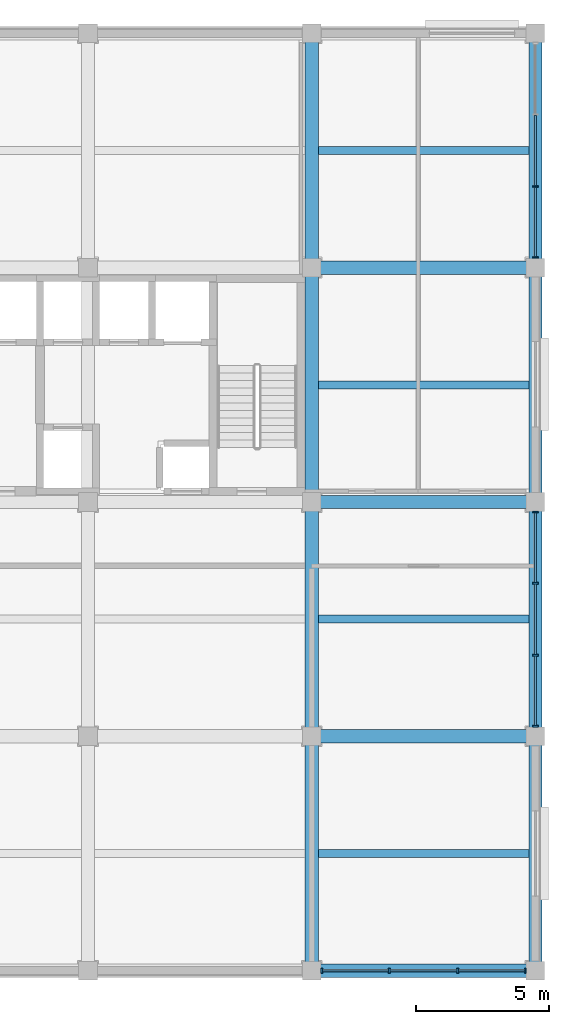
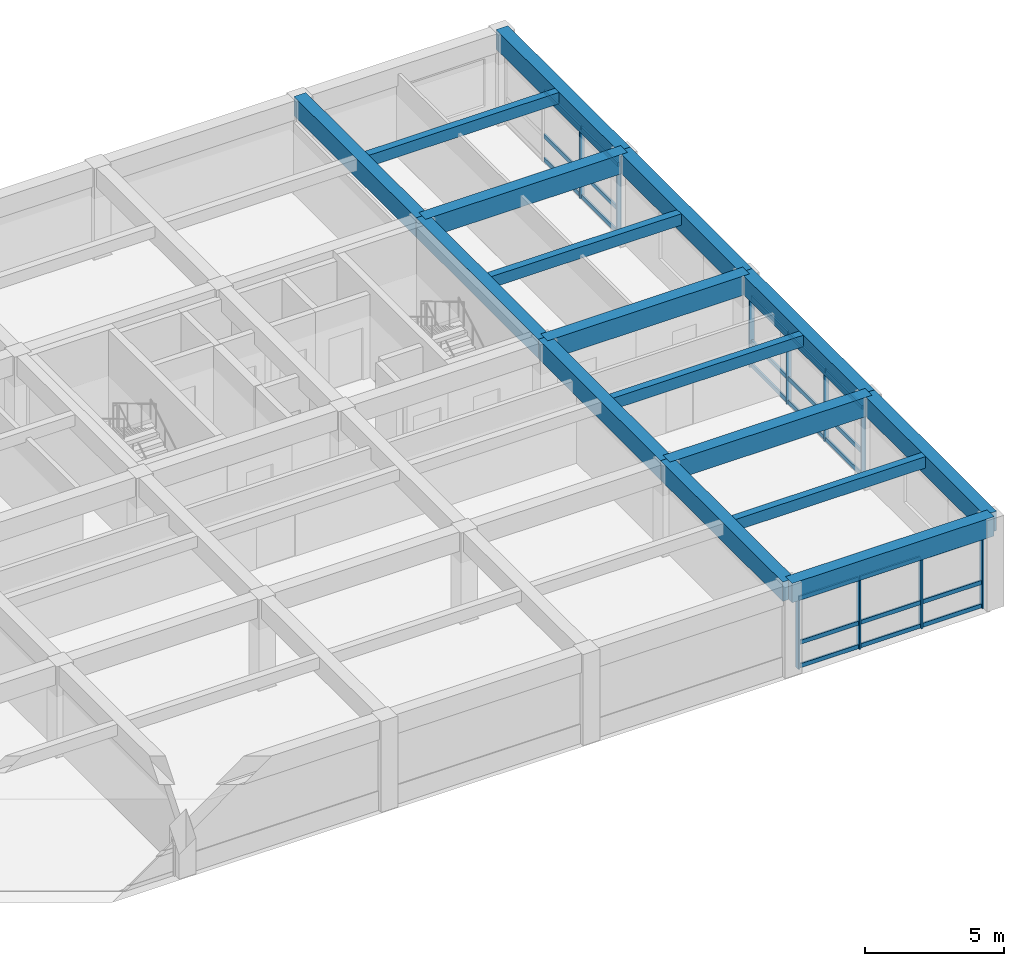
# One storey, part 4 of 14: 34 members, 16 beams, 3 elements without a shape of their own.
"""IFC4 building model written with IfcOpenShell, lengths in metres."""

import ifcopenshell
import ifcopenshell.guid

model = None  # the IFC model being written
_history = None  # IfcOwnerHistory: only IFC2X3 demands one
_inside = {}  # id of a spatial element -> (the spatial element, [elements in it])
_under = {}  # id of a project, library or spatial element -> (it, [spatial elements below it])
_declared = {}  # id of a project -> (the project, [libraries it declares])
_typed = {}  # id of a type object -> (the type object, [elements of that type])
_made_of = {}  # id of a material, layer set ... -> (it, [elements and type objects made of it])


def new_model(schema):
    """Start an empty IFC model of exactly this schema.

    Asked for "IFC4X3", IfcOpenShell would pick the latest addendum, in which some entities
    have other attributes; the version numbers below select the first issue.
    IFC2X3 requires an IfcOwnerHistory on every rooted entity: one is made here for all.
    """
    global model, _history
    if schema == "IFC4X3":
        model = ifcopenshell.file(schema_version=(4, 3, 0, 0))
    else:
        model = ifcopenshell.file(schema=schema)
    _inside.clear()
    _under.clear()
    _declared.clear()
    _typed.clear()
    _made_of.clear()
    _history = None
    if model.schema == "IFC2X3":
        org = make("IfcOrganization", Name="unknown")
        user = make(
            "IfcPersonAndOrganization",
            ThePerson=make("IfcPerson", FamilyName="unknown"),
            TheOrganization=org,
        )
        app = make(
            "IfcApplication",
            ApplicationDeveloper=org,
            Version="unknown",
            ApplicationFullName="unknown",
            ApplicationIdentifier="unknown",
        )
        _history = make(
            "IfcOwnerHistory",
            OwningUser=user,
            OwningApplication=app,
            ChangeAction="ADDED",
            CreationDate=0,
        )
    return model


def make(cls, **values):
    """One entity of the class cls with the attributes given. An attribute that is None is left unset."""
    return model.create_entity(
        cls, **{name: value for name, value in values.items() if value is not None}
    )


def rooted(cls, **values):
    """An entity with a GlobalId (a new one), such as an element, a storey or a relation."""
    return make(cls, GlobalId=ifcopenshell.guid.new(), OwnerHistory=_history, **values)


def si_unit(unit_type, name, prefix=None):
    """IfcSIUnit, for example si_unit("LENGTHUNIT", "METRE", prefix="MILLI")."""
    return make("IfcSIUnit", UnitType=unit_type, Prefix=prefix, Name=name)


def assignment(units):
    """IfcUnitAssignment: the units of a project."""
    return None if units is None else make("IfcUnitAssignment", Units=units)


def point(xyz):
    """IfcCartesianPoint."""
    return None if xyz is None else make("IfcCartesianPoint", Coordinates=xyz)


def direction(xyz):
    """IfcDirection."""
    return None if xyz is None else make("IfcDirection", DirectionRatios=xyz)


def frame(location, z_axis=None, x_axis=None):
    """IfcAxis2Placement3D, a coordinate frame: its origin and axes. An axis left out is left unset."""
    return make(
        "IfcAxis2Placement3D",
        Location=point(location),
        Axis=direction(z_axis),
        RefDirection=direction(x_axis),
    )


def frame_2d(location, x_axis=None):
    """IfcAxis2Placement2D, a coordinate frame in the plane: its origin and x axis."""
    return make(
        "IfcAxis2Placement2D", Location=point(location), RefDirection=direction(x_axis)
    )


def origin():
    """The frame at (0, 0, 0) with its axes left unset."""
    return frame((0.0, 0.0, 0.0))


def origin_2d():
    """The frame at (0, 0) in the plane with its x axis left unset."""
    return frame_2d((0.0, 0.0))


def place(relative_to, where):
    """IfcLocalPlacement: puts the frame where relative to a parent placement (None: the world)."""
    return make(
        "IfcLocalPlacement", PlacementRelTo=relative_to, RelativePlacement=where
    )


def context(
    kind, dimensions, precision=None, world=None, true_north=None, identifier=None
):
    """IfcGeometricRepresentationContext, for example the 3D "Model" context."""
    return make(
        "IfcGeometricRepresentationContext",
        ContextIdentifier=identifier,
        ContextType=kind,
        CoordinateSpaceDimension=dimensions,
        Precision=precision,
        WorldCoordinateSystem=world,
        TrueNorth=true_north,
    )


def subcontext(parent, identifier, kind, view, scale=None):
    """IfcGeometricRepresentationSubContext, for example "Body" below "Model"."""
    return make(
        "IfcGeometricRepresentationSubContext",
        ContextIdentifier=identifier,
        ContextType=kind,
        ParentContext=parent,
        TargetScale=scale,
        TargetView=view,
    )


def project(units=None, contexts=None):
    """IfcProject with its units and contexts."""
    return rooted(
        "IfcProject",
        Name="project",
        RepresentationContexts=contexts,
        UnitsInContext=assignment(units),
    )


def spatial(cls, under=None, at=None, **own):
    """A site, building, storey or space (cls), placed at a placement, below another one or the project."""
    s = rooted(cls, ObjectPlacement=at, **own)
    if under is not None:
        _under.setdefault(under.id(), (under, []))[1].append(s)
    return s


def profile(cls, at=None, kind="AREA", **sizes):
    """A parametric profile (cls). Its sizes go by their IFC names, for example OverallWidth=200.0."""
    return make(cls, ProfileType=kind, Position=at, **sizes)


def rectangle(**sizes):
    """IfcRectangleProfileDef."""
    return profile("IfcRectangleProfileDef", **sizes)


def extrude(swept, where, along, depth):
    """IfcExtrudedAreaSolid: the profile swept, set in the frame where, extruded along a direction by depth."""
    return make(
        "IfcExtrudedAreaSolid",
        SweptArea=swept,
        Position=where,
        ExtrudedDirection=direction(along),
        Depth=depth,
    )


def shape(context_of_items, identifier, shape_type, items):
    """IfcShapeRepresentation: the items that make up one representation, for example the "Body"."""
    return make(
        "IfcShapeRepresentation",
        ContextOfItems=context_of_items,
        RepresentationIdentifier=identifier,
        RepresentationType=shape_type,
        Items=items,
    )


def material(Name=None, Category=None):
    """IfcMaterial."""
    return make("IfcMaterial", Name=Name, Category=Category)


def material_profile(
    of_material, cross_section, Name=None, Category=None, Priority=None
):
    """IfcMaterialProfile: a cross section and its material."""
    return make(
        "IfcMaterialProfile",
        Name=Name,
        Material=of_material,
        Profile=cross_section,
        Priority=Priority,
        Category=Category,
    )


def profile_set(profiles, Name=None, composite=None):
    """IfcMaterialProfileSet."""
    return make(
        "IfcMaterialProfileSet",
        Name=Name,
        MaterialProfiles=profiles,
        CompositeProfile=composite,
    )


def made_of(thing, what):
    """Note that an element or type object is made of a material, layer set ...; save() writes the relation."""
    if what is not None:
        _made_of.setdefault(what.id(), (what, []))[1].append(thing)
    return thing


def type_object(cls, material=None, **own):
    """A type object (cls), such as IfcWallType, which elements share."""
    return made_of(rooted(cls, **own), material)


def element(
    cls,
    number,
    at=None,
    inside=None,
    cuts=None,
    type_object=None,
    material=None,
    context=None,
    identifier="Body",
    shape_type=None,
    held_by="IfcProductDefinitionShape",
    body=None,
    shapes=None,
    **own,
):
    """One element of the class cls, such as IfcWall. Its Tag is "e" and its number.

    at: its placement. inside: the storey or other place that contains it. cuts: it is an
    opening in that element (IfcRelVoidsElement). A single representation is given by context,
    identifier, shape_type and body (its items); several are given by shapes. held_by: the class
    of the entity that holds the representations. save() writes the other relations.
    """
    e = rooted(cls, Tag="e%d" % number, ObjectPlacement=at, **own)
    if body is not None:
        shapes = [shape(context, identifier, shape_type, body)]
    if shapes is not None:
        e.Representation = make(held_by, Representations=shapes)
    if inside is not None:
        _inside.setdefault(inside.id(), (inside, []))[1].append(e)
    if cuts is not None:
        rooted(
            "IfcRelVoidsElement", RelatingBuildingElement=cuts, RelatedOpeningElement=e
        )
    if type_object is not None:
        _typed.setdefault(type_object.id(), (type_object, []))[1].append(e)
    return made_of(e, material)


def aggregate(whole, parts):
    """IfcRelAggregates: a whole, such as a stair, and the parts it consists of."""
    return rooted("IfcRelAggregates", RelatingObject=whole, RelatedObjects=parts)


def save(model, path):
    """Write the relations noted so far, then the file.

    IfcRelAggregates (storeys below a building ...), IfcRelContainedInSpatialStructure (elements
    in a storey), IfcRelDefinesByType, IfcRelAssociatesMaterial and IfcRelDeclares: one each for
    every whole, place, type object, material and project.
    """
    for whole, parts in _under.values():
        aggregate(whole, parts)
    for where, things in _inside.values():
        rooted(
            "IfcRelContainedInSpatialStructure",
            RelatedElements=things,
            RelatingStructure=where,
        )
    for kind, things in _typed.values():
        rooted("IfcRelDefinesByType", RelatedObjects=things, RelatingType=kind)
    for what, things in _made_of.values():
        rooted("IfcRelAssociatesMaterial", RelatedObjects=things, RelatingMaterial=what)
    for by, libraries in _declared.values():
        rooted("IfcRelDeclares", RelatingContext=by, RelatedDefinitions=libraries)
    model.write(path)


model = new_model("IFC4")

# Units and contexts
model_context = context("Model", 3, precision=1e-05, world=origin(), true_north=direction((0.0, 1.0)))
body_context = subcontext(model_context, "Body", "Model", "MODEL_VIEW")
ifc_project = project(units=[si_unit("LENGTHUNIT", "METRE"), si_unit("AREAUNIT", "SQUARE_METRE"), si_unit("VOLUMEUNIT", "CUBIC_METRE"), si_unit("PLANEANGLEUNIT", "RADIAN"), si_unit("MASSUNIT", "GRAM", prefix="KILO")], contexts=[model_context])

# Site, building, storey
site_placement = place(None, origin())
site = spatial("IfcSite", under=ifc_project, at=site_placement, CompositionType="ELEMENT")
building_placement = place(site_placement, origin())
building = spatial("IfcBuilding", under=site, at=building_placement, Name="Kemercrest Conservatory and Botanical Centre", CompositionType="ELEMENT")
storey_placement = place(building_placement, frame((0.0, 0.0, 28.800048828125)))
storey = spatial("IfcBuildingStorey", under=building, at=storey_placement, Name="L07", CompositionType="ELEMENT", Elevation=28.800048828125)

# Beams
ifc_material_1 = material(Name="Concrete C50/60", Category="concrete")
ifc_material_profile_1 = material_profile(ifc_material_1, rectangle(XDim=0.5, YDim=0.85009765625, at=origin_2d()), Name="RC 500x850")
ifc_profile_set_1 = profile_set([ifc_material_profile_1], Name="Concrete C50/60")
beam_type_1 = type_object("IfcBeamType", Name="BM-RC85", PredefinedType="BEAM", material=ifc_profile_set_1)
for number, where, z_axis, x_axis, name in (
    (1, (167.60009765625, 96.0, 3.574951171875), (1.0, 0.0, 0.0), (0.0, 1.0, 0.0), "V4-L08 beam BM-RC85 L/20-21"),
    (2, (167.60009765625, 104.800048828125, 3.574951171875), (1.0, 0.0, 0.0), (0.0, 1.0, 0.0), "V4-L08 beam BM-RC85 M/20-21"),
    (3, (167.60009765625, 113.60009765625, 3.574951171875), (1.0, 0.0, 0.0), (0.0, 1.0, 0.0), "V4-L08 beam BM-RC85 N/20-21"),
):
    element("IfcBeam", number, at=place(storey_placement, frame(where, z_axis=z_axis, x_axis=x_axis)), inside=storey, type_object=beam_type_1, Name=name, PredefinedType="BEAM", context=body_context, shape_type="SweptSolid", body=[
        extrude(rectangle(XDim=0.5, YDim=0.85009765625, at=origin_2d()), origin(), (0.0, 0.0, 1.0), 8.39990234375),
    ])
for number, where, z_axis, x_axis, name in (
    (4, (167.60009765625, 87.199951171875, 3.574951171875), (0.0, 1.0, 0.0), (-1.0, 0.0, 0.0), "V4-L08 beam BM-RC85 20/K-L"),
    (5, (167.60009765625, 96.0, 3.574951171875), (0.0, 1.0, 0.0), (-1.0, 0.0, 0.0), "V4-L08 beam BM-RC85 20/L-M"),
    (6, (167.60009765625, 104.800048828125, 3.574951171875), (0.0, 1.0, 0.0), (-1.0, 0.0, 0.0), "V4-L08 beam BM-RC85 20/M-N"),
):
    element("IfcBeam", number, at=place(storey_placement, frame(where, z_axis=z_axis, x_axis=x_axis)), inside=storey, type_object=beam_type_1, Name=name, PredefinedType="BEAM", context=body_context, shape_type="SweptSolid", body=[
        extrude(rectangle(XDim=0.5, YDim=0.85009765625, at=origin_2d()), origin(), (0.0, 0.0, 1.0), 8.800048828125),
    ])
beam_1_placement = place(storey_placement, frame((167.60009765625, 113.60009765625, 3.574951171875), z_axis=(0.0, 1.0, 0.0), x_axis=(-1.0, 0.0, 0.0)))
element("IfcBeam", 7, at=beam_1_placement, inside=storey, type_object=beam_type_1, Name="V4-L08 beam BM-RC85 20/N-P", PredefinedType="BEAM", context=body_context, shape_type="SweptSolid", body=[
    extrude(rectangle(XDim=0.5, YDim=0.85009765625, at=origin_2d()), origin(), (0.0, 0.0, 1.0), 8.7998046875),
])

# Curtain wall, members
ifc_material_2 = material(Name="Thermally broken aluminium and triple low-e glazing", Category="aluminium")
curtain_wall_type_1 = type_object("IfcCurtainWallType", Name="CW-30", PredefinedType="USERDEFINED", material=ifc_material_2)
curtain_wall_1_placement = place(storey_placement, origin())
curtain_wall_1 = element("IfcCurtainWall", 8, at=curtain_wall_1_placement, inside=storey, type_object=curtain_wall_type_1, Name="Unitised curtain wall CW-30 (CW:L07:V4-089)", ObjectType="UNITISED CURTAIN WALL", PredefinedType="USERDEFINED")
ifc_material_3 = material(Name="Thermally broken anodized aluminium 6063-T6", Category="aluminium")
ifc_material_profile_2 = material_profile(ifc_material_3, rectangle(XDim=0.199951171875, YDim=0.06494140625, at=origin_2d()), Name="AL MULLION 65x200")
ifc_profile_set_2 = profile_set([ifc_material_profile_2], Name="Thermally broken anodized aluminium 6063-T6")
member_type_1 = type_object("IfcMemberType", Name="CW-M200", PredefinedType="MULLION", material=ifc_profile_set_2)
member_1_placement = place(storey_placement, frame((167.9775390625, 87.199951171875, 0.0), z_axis=(0.0, 0.0, 1.0), x_axis=(0.0, 1.0, 0.0)))
member_1 = element("IfcMember", 9, at=member_1_placement, type_object=member_type_1, Name="CW-30 mullion 1", PredefinedType="MULLION", context=body_context, shape_type="SweptSolid", body=[
    extrude(rectangle(XDim=0.199951171875, YDim=0.06494140625, at=origin_2d()), origin(), (0.0, 0.0, 1.0), 3.155029296875),
])
member_2_placement = place(storey_placement, frame((170.514892578125, 87.199951171875, 0.0), z_axis=(0.0, 0.0, 1.0), x_axis=(0.0, 1.0, 0.0)))
member_2 = element("IfcMember", 10, at=member_2_placement, type_object=member_type_1, Name="CW-30 mullion 2", PredefinedType="MULLION", context=body_context, shape_type="SweptSolid", body=[
    extrude(rectangle(XDim=0.199951171875, YDim=0.06494140625, at=origin_2d()), origin(), (0.0, 0.0, 1.0), 3.155029296875),
])
member_3_placement = place(storey_placement, frame((173.0849609375, 87.199951171875, 0.0), z_axis=(0.0, 0.0, 1.0), x_axis=(0.0, 1.0, 0.0)))
member_3 = element("IfcMember", 11, at=member_3_placement, type_object=member_type_1, Name="CW-30 mullion 3", PredefinedType="MULLION", context=body_context, shape_type="SweptSolid", body=[
    extrude(rectangle(XDim=0.199951171875, YDim=0.06494140625, at=origin_2d()), origin(), (0.0, 0.0, 1.0), 3.155029296875),
])
member_4_placement = place(storey_placement, frame((175.62255859375, 87.199951171875, 0.0), z_axis=(0.0, 0.0, 1.0), x_axis=(0.0, 1.0, 0.0)))
member_4 = element("IfcMember", 12, at=member_4_placement, type_object=member_type_1, Name="CW-30 mullion 4", PredefinedType="MULLION", context=body_context, shape_type="SweptSolid", body=[
    extrude(rectangle(XDim=0.199951171875, YDim=0.06494140625, at=origin_2d()), origin(), (0.0, 0.0, 1.0), 3.155029296875),
])

curtain_wall_type_2 = type_object("IfcCurtainWallType", Name="CW-01", PredefinedType="USERDEFINED", material=ifc_material_2)
curtain_wall_2_placement = place(storey_placement, origin())
curtain_wall_2 = element("IfcCurtainWall", 13, at=curtain_wall_2_placement, inside=storey, type_object=curtain_wall_type_2, Name="Unitised curtain wall CW-01 (CW:L07:V4-090)", ObjectType="UNITISED CURTAIN WALL", PredefinedType="USERDEFINED")
member_5_placement = place(storey_placement, frame((176.0, 96.37744140625, 0.0), z_axis=(0.0, 0.0, 1.0), x_axis=(-1.0, 0.0, 0.0)))
member_5 = element("IfcMember", 14, at=member_5_placement, type_object=member_type_1, Name="CW-01 mullion 1", PredefinedType="MULLION", context=body_context, shape_type="SweptSolid", body=[
    extrude(rectangle(XDim=0.199951171875, YDim=0.06494140625, at=origin_2d()), origin(), (0.0, 0.0, 1.0), 3.155029296875),
])
member_6_placement = place(storey_placement, frame((176.0, 99.04833984375, 0.0), z_axis=(0.0, 0.0, 1.0), x_axis=(-1.0, 0.0, 0.0)))
member_6 = element("IfcMember", 15, at=member_6_placement, type_object=member_type_1, Name="CW-01 mullion 2", PredefinedType="MULLION", context=body_context, shape_type="SweptSolid", body=[
    extrude(rectangle(XDim=0.199951171875, YDim=0.06494140625, at=origin_2d()), origin(), (0.0, 0.0, 1.0), 3.155029296875),
])
member_7_placement = place(storey_placement, frame((176.0, 101.751708984375, 0.0), z_axis=(0.0, 0.0, 1.0), x_axis=(-1.0, 0.0, 0.0)))
member_7 = element("IfcMember", 16, at=member_7_placement, type_object=member_type_1, Name="CW-01 mullion 3", PredefinedType="MULLION", context=body_context, shape_type="SweptSolid", body=[
    extrude(rectangle(XDim=0.199951171875, YDim=0.06494140625, at=origin_2d()), origin(), (0.0, 0.0, 1.0), 3.155029296875),
])
member_8_placement = place(storey_placement, frame((176.0, 104.422607421875, 0.0), z_axis=(0.0, 0.0, 1.0), x_axis=(-1.0, 0.0, 0.0)))
member_8 = element("IfcMember", 17, at=member_8_placement, type_object=member_type_1, Name="CW-01 mullion 4", PredefinedType="MULLION", context=body_context, shape_type="SweptSolid", body=[
    extrude(rectangle(XDim=0.199951171875, YDim=0.06494140625, at=origin_2d()), origin(), (0.0, 0.0, 1.0), 3.155029296875),
])

curtain_wall_type_3 = type_object("IfcCurtainWallType", Name="CW-02", PredefinedType="USERDEFINED", material=ifc_material_2)
curtain_wall_3_placement = place(storey_placement, origin())
curtain_wall_3 = element("IfcCurtainWall", 18, at=curtain_wall_3_placement, inside=storey, type_object=curtain_wall_type_3, Name="Unitised curtain wall CW-02 (CW:L07:V4-091)", ObjectType="UNITISED CURTAIN WALL", PredefinedType="USERDEFINED")
member_9_placement = place(storey_placement, frame((176.0, 113.9775390625, 0.0), z_axis=(0.0, 0.0, 1.0), x_axis=(-1.0, 0.0, 0.0)))
member_9 = element("IfcMember", 19, at=member_9_placement, type_object=member_type_1, Name="CW-02 mullion 1", PredefinedType="MULLION", context=body_context, shape_type="SweptSolid", body=[
    extrude(rectangle(XDim=0.199951171875, YDim=0.06494140625, at=origin_2d()), origin(), (0.0, 0.0, 1.0), 3.155029296875),
])
member_10_placement = place(storey_placement, frame((176.0, 116.6484375, 0.0), z_axis=(0.0, 0.0, 1.0), x_axis=(-1.0, 0.0, 0.0)))
member_10 = element("IfcMember", 20, at=member_10_placement, type_object=member_type_1, Name="CW-02 mullion 2", PredefinedType="MULLION", context=body_context, shape_type="SweptSolid", body=[
    extrude(rectangle(XDim=0.199951171875, YDim=0.06494140625, at=origin_2d()), origin(), (0.0, 0.0, 1.0), 3.155029296875),
])

# Member
ifc_material_profile_3 = material_profile(ifc_material_3, rectangle(XDim=0.074951171875, YDim=0.179931640625, at=origin_2d()), Name="AL TRANSOM 75x180")
ifc_profile_set_3 = profile_set([ifc_material_profile_3], Name="Thermally broken anodized aluminium 6063-T6")
member_type_2 = type_object("IfcMemberType", Name="CW-T180", PredefinedType="USERDEFINED", material=ifc_profile_set_3)
member_11_placement = place(storey_placement, frame((168.010009765625, 87.199951171875, 0.08984375), z_axis=(1.0, 0.0, 0.0), x_axis=(0.0, 1.0, 0.0)))
member_11 = element("IfcMember", 21, at=member_11_placement, type_object=member_type_2, Name="CW-30 transom 1.1", ObjectType="TRANSOM", PredefinedType="USERDEFINED", context=body_context, shape_type="SweptSolid", body=[
    extrude(rectangle(XDim=0.074951171875, YDim=0.179931640625, at=origin_2d()), origin(), (0.0, 0.0, 1.0), 2.472412109375),
])

member_12_placement = place(storey_placement, frame((168.010009765625, 87.199951171875, 1.119873046875), z_axis=(1.0, 0.0, 0.0), x_axis=(0.0, 1.0, 0.0)))
member_12 = element("IfcMember", 22, at=member_12_placement, type_object=member_type_2, Name="CW-30 transom 1.2", ObjectType="TRANSOM", PredefinedType="USERDEFINED", context=body_context, shape_type="SweptSolid", body=[
    extrude(rectangle(XDim=0.074951171875, YDim=0.179931640625, at=origin_2d()), origin(), (0.0, 0.0, 1.0), 2.472412109375),
])

member_13_placement = place(storey_placement, frame((168.010009765625, 87.199951171875, 3.06494140625), z_axis=(1.0, 0.0, 0.0), x_axis=(0.0, 1.0, 0.0)))
member_13 = element("IfcMember", 23, at=member_13_placement, type_object=member_type_2, Name="CW-30 transom 1.3", ObjectType="TRANSOM", PredefinedType="USERDEFINED", context=body_context, shape_type="SweptSolid", body=[
    extrude(rectangle(XDim=0.074951171875, YDim=0.179931640625, at=origin_2d()), origin(), (0.0, 0.0, 1.0), 2.472412109375),
])

member_14_placement = place(storey_placement, frame((170.547607421875, 87.199951171875, 0.08984375), z_axis=(1.0, 0.0, 0.0), x_axis=(0.0, 1.0, 0.0)))
member_14 = element("IfcMember", 24, at=member_14_placement, type_object=member_type_2, Name="CW-30 transom 2.1", ObjectType="TRANSOM", PredefinedType="USERDEFINED", context=body_context, shape_type="SweptSolid", body=[
    extrude(rectangle(XDim=0.074951171875, YDim=0.179931640625, at=origin_2d()), origin(), (0.0, 0.0, 1.0), 2.5048828125),
])

member_15_placement = place(storey_placement, frame((170.547607421875, 87.199951171875, 1.119873046875), z_axis=(1.0, 0.0, 0.0), x_axis=(0.0, 1.0, 0.0)))
member_15 = element("IfcMember", 25, at=member_15_placement, type_object=member_type_2, Name="CW-30 transom 2.2", ObjectType="TRANSOM", PredefinedType="USERDEFINED", context=body_context, shape_type="SweptSolid", body=[
    extrude(rectangle(XDim=0.074951171875, YDim=0.179931640625, at=origin_2d()), origin(), (0.0, 0.0, 1.0), 2.5048828125),
])

member_16_placement = place(storey_placement, frame((170.547607421875, 87.199951171875, 3.06494140625), z_axis=(1.0, 0.0, 0.0), x_axis=(0.0, 1.0, 0.0)))
member_16 = element("IfcMember", 26, at=member_16_placement, type_object=member_type_2, Name="CW-30 transom 2.3", ObjectType="TRANSOM", PredefinedType="USERDEFINED", context=body_context, shape_type="SweptSolid", body=[
    extrude(rectangle(XDim=0.074951171875, YDim=0.179931640625, at=origin_2d()), origin(), (0.0, 0.0, 1.0), 2.5048828125),
])

member_17_placement = place(storey_placement, frame((173.117431640625, 87.199951171875, 0.08984375), z_axis=(1.0, 0.0, 0.0), x_axis=(0.0, 1.0, 0.0)))
member_17 = element("IfcMember", 27, at=member_17_placement, type_object=member_type_2, Name="CW-30 transom 3.1", ObjectType="TRANSOM", PredefinedType="USERDEFINED", context=body_context, shape_type="SweptSolid", body=[
    extrude(rectangle(XDim=0.074951171875, YDim=0.179931640625, at=origin_2d()), origin(), (0.0, 0.0, 1.0), 2.47265625),
])

member_18_placement = place(storey_placement, frame((173.117431640625, 87.199951171875, 1.119873046875), z_axis=(1.0, 0.0, 0.0), x_axis=(0.0, 1.0, 0.0)))
member_18 = element("IfcMember", 28, at=member_18_placement, type_object=member_type_2, Name="CW-30 transom 3.2", ObjectType="TRANSOM", PredefinedType="USERDEFINED", context=body_context, shape_type="SweptSolid", body=[
    extrude(rectangle(XDim=0.074951171875, YDim=0.179931640625, at=origin_2d()), origin(), (0.0, 0.0, 1.0), 2.47265625),
])

member_19_placement = place(storey_placement, frame((173.117431640625, 87.199951171875, 3.06494140625), z_axis=(1.0, 0.0, 0.0), x_axis=(0.0, 1.0, 0.0)))
member_19 = element("IfcMember", 29, at=member_19_placement, type_object=member_type_2, Name="CW-30 transom 3.3", ObjectType="TRANSOM", PredefinedType="USERDEFINED", context=body_context, shape_type="SweptSolid", body=[
    extrude(rectangle(XDim=0.074951171875, YDim=0.179931640625, at=origin_2d()), origin(), (0.0, 0.0, 1.0), 2.47265625),
])

aggregate(curtain_wall_1, [member_1, member_2, member_3, member_4, member_11, member_12, member_13, member_14, member_15, member_16, member_17, member_18, member_19])

member_20_placement = place(storey_placement, frame((176.0, 96.409912109375, 0.08984375), z_axis=(0.0, 1.0, 0.0), x_axis=(-1.0, 0.0, 0.0)))
member_20 = element("IfcMember", 30, at=member_20_placement, type_object=member_type_2, Name="CW-01 transom 1.1", ObjectType="TRANSOM", PredefinedType="USERDEFINED", context=body_context, shape_type="SweptSolid", body=[
    extrude(rectangle(XDim=0.074951171875, YDim=0.179931640625, at=origin_2d()), origin(), (0.0, 0.0, 1.0), 2.60595703125),
])

member_21_placement = place(storey_placement, frame((176.0, 96.409912109375, 1.119873046875), z_axis=(0.0, 1.0, 0.0), x_axis=(-1.0, 0.0, 0.0)))
member_21 = element("IfcMember", 31, at=member_21_placement, type_object=member_type_2, Name="CW-01 transom 1.2", ObjectType="TRANSOM", PredefinedType="USERDEFINED", context=body_context, shape_type="SweptSolid", body=[
    extrude(rectangle(XDim=0.074951171875, YDim=0.179931640625, at=origin_2d()), origin(), (0.0, 0.0, 1.0), 2.60595703125),
])

member_22_placement = place(storey_placement, frame((176.0, 96.409912109375, 3.06494140625), z_axis=(0.0, 1.0, 0.0), x_axis=(-1.0, 0.0, 0.0)))
member_22 = element("IfcMember", 32, at=member_22_placement, type_object=member_type_2, Name="CW-01 transom 1.3", ObjectType="TRANSOM", PredefinedType="USERDEFINED", context=body_context, shape_type="SweptSolid", body=[
    extrude(rectangle(XDim=0.074951171875, YDim=0.179931640625, at=origin_2d()), origin(), (0.0, 0.0, 1.0), 2.60595703125),
])

member_23_placement = place(storey_placement, frame((176.0, 99.080810546875, 0.08984375), z_axis=(0.0, 1.0, 0.0), x_axis=(-1.0, 0.0, 0.0)))
member_23 = element("IfcMember", 33, at=member_23_placement, type_object=member_type_2, Name="CW-01 transom 2.1", ObjectType="TRANSOM", PredefinedType="USERDEFINED", context=body_context, shape_type="SweptSolid", body=[
    extrude(rectangle(XDim=0.074951171875, YDim=0.179931640625, at=origin_2d()), origin(), (0.0, 0.0, 1.0), 2.638427734375),
])

member_24_placement = place(storey_placement, frame((176.0, 99.080810546875, 1.119873046875), z_axis=(0.0, 1.0, 0.0), x_axis=(-1.0, 0.0, 0.0)))
member_24 = element("IfcMember", 34, at=member_24_placement, type_object=member_type_2, Name="CW-01 transom 2.2", ObjectType="TRANSOM", PredefinedType="USERDEFINED", context=body_context, shape_type="SweptSolid", body=[
    extrude(rectangle(XDim=0.074951171875, YDim=0.179931640625, at=origin_2d()), origin(), (0.0, 0.0, 1.0), 2.638427734375),
])

member_25_placement = place(storey_placement, frame((176.0, 99.080810546875, 3.06494140625), z_axis=(0.0, 1.0, 0.0), x_axis=(-1.0, 0.0, 0.0)))
member_25 = element("IfcMember", 35, at=member_25_placement, type_object=member_type_2, Name="CW-01 transom 2.3", ObjectType="TRANSOM", PredefinedType="USERDEFINED", context=body_context, shape_type="SweptSolid", body=[
    extrude(rectangle(XDim=0.074951171875, YDim=0.179931640625, at=origin_2d()), origin(), (0.0, 0.0, 1.0), 2.638427734375),
])

member_26_placement = place(storey_placement, frame((176.0, 101.7841796875, 0.08984375), z_axis=(0.0, 1.0, 0.0), x_axis=(-1.0, 0.0, 0.0)))
member_26 = element("IfcMember", 36, at=member_26_placement, type_object=member_type_2, Name="CW-01 transom 3.1", ObjectType="TRANSOM", PredefinedType="USERDEFINED", context=body_context, shape_type="SweptSolid", body=[
    extrude(rectangle(XDim=0.074951171875, YDim=0.179931640625, at=origin_2d()), origin(), (0.0, 0.0, 1.0), 2.605712890625),
])

member_27_placement = place(storey_placement, frame((176.0, 101.7841796875, 1.119873046875), z_axis=(0.0, 1.0, 0.0), x_axis=(-1.0, 0.0, 0.0)))
member_27 = element("IfcMember", 37, at=member_27_placement, type_object=member_type_2, Name="CW-01 transom 3.2", ObjectType="TRANSOM", PredefinedType="USERDEFINED", context=body_context, shape_type="SweptSolid", body=[
    extrude(rectangle(XDim=0.074951171875, YDim=0.179931640625, at=origin_2d()), origin(), (0.0, 0.0, 1.0), 2.605712890625),
])

member_28_placement = place(storey_placement, frame((176.0, 101.7841796875, 3.06494140625), z_axis=(0.0, 1.0, 0.0), x_axis=(-1.0, 0.0, 0.0)))
member_28 = element("IfcMember", 38, at=member_28_placement, type_object=member_type_2, Name="CW-01 transom 3.3", ObjectType="TRANSOM", PredefinedType="USERDEFINED", context=body_context, shape_type="SweptSolid", body=[
    extrude(rectangle(XDim=0.074951171875, YDim=0.179931640625, at=origin_2d()), origin(), (0.0, 0.0, 1.0), 2.605712890625),
])

aggregate(curtain_wall_2, [member_5, member_6, member_7, member_8, member_20, member_21, member_22, member_23, member_24, member_25, member_26, member_27, member_28])

member_29_placement = place(storey_placement, frame((176.0, 114.010009765625, 0.08984375), z_axis=(0.0, 1.0, 0.0), x_axis=(-1.0, 0.0, 0.0)))
member_29 = element("IfcMember", 39, at=member_29_placement, type_object=member_type_2, Name="CW-02 transom 1.1", ObjectType="TRANSOM", PredefinedType="USERDEFINED", context=body_context, shape_type="SweptSolid", body=[
    extrude(rectangle(XDim=0.074951171875, YDim=0.179931640625, at=origin_2d()), origin(), (0.0, 0.0, 1.0), 2.605712890625),
])

member_30_placement = place(storey_placement, frame((176.0, 114.010009765625, 1.119873046875), z_axis=(0.0, 1.0, 0.0), x_axis=(-1.0, 0.0, 0.0)))
member_30 = element("IfcMember", 40, at=member_30_placement, type_object=member_type_2, Name="CW-02 transom 1.2", ObjectType="TRANSOM", PredefinedType="USERDEFINED", context=body_context, shape_type="SweptSolid", body=[
    extrude(rectangle(XDim=0.074951171875, YDim=0.179931640625, at=origin_2d()), origin(), (0.0, 0.0, 1.0), 2.605712890625),
])

member_31_placement = place(storey_placement, frame((176.0, 114.010009765625, 3.06494140625), z_axis=(0.0, 1.0, 0.0), x_axis=(-1.0, 0.0, 0.0)))
member_31 = element("IfcMember", 41, at=member_31_placement, type_object=member_type_2, Name="CW-02 transom 1.3", ObjectType="TRANSOM", PredefinedType="USERDEFINED", context=body_context, shape_type="SweptSolid", body=[
    extrude(rectangle(XDim=0.074951171875, YDim=0.179931640625, at=origin_2d()), origin(), (0.0, 0.0, 1.0), 2.605712890625),
])

member_32_placement = place(storey_placement, frame((176.0, 116.680908203125, 0.08984375), z_axis=(0.0, 1.0, 0.0), x_axis=(-1.0, 0.0, 0.0)))
member_32 = element("IfcMember", 42, at=member_32_placement, type_object=member_type_2, Name="CW-02 transom 2.1", ObjectType="TRANSOM", PredefinedType="USERDEFINED", context=body_context, shape_type="SweptSolid", body=[
    extrude(rectangle(XDim=0.074951171875, YDim=0.179931640625, at=origin_2d()), origin(), (0.0, 0.0, 1.0), 2.63818359375),
])

member_33_placement = place(storey_placement, frame((176.0, 116.680908203125, 1.119873046875), z_axis=(0.0, 1.0, 0.0), x_axis=(-1.0, 0.0, 0.0)))
member_33 = element("IfcMember", 43, at=member_33_placement, type_object=member_type_2, Name="CW-02 transom 2.2", ObjectType="TRANSOM", PredefinedType="USERDEFINED", context=body_context, shape_type="SweptSolid", body=[
    extrude(rectangle(XDim=0.074951171875, YDim=0.179931640625, at=origin_2d()), origin(), (0.0, 0.0, 1.0), 2.63818359375),
])

member_34_placement = place(storey_placement, frame((176.0, 116.680908203125, 3.06494140625), z_axis=(0.0, 1.0, 0.0), x_axis=(-1.0, 0.0, 0.0)))
member_34 = element("IfcMember", 44, at=member_34_placement, type_object=member_type_2, Name="CW-02 transom 2.3", ObjectType="TRANSOM", PredefinedType="USERDEFINED", context=body_context, shape_type="SweptSolid", body=[
    extrude(rectangle(XDim=0.074951171875, YDim=0.179931640625, at=origin_2d()), origin(), (0.0, 0.0, 1.0), 2.63818359375),
])

aggregate(curtain_wall_3, [member_9, member_10, member_29, member_30, member_31, member_32, member_33, member_34])

# Beams
ifc_material_4 = material(Name="Concrete C40/50", Category="concrete")
ifc_material_profile_4 = material_profile(ifc_material_4, rectangle(XDim=0.300048828125, YDim=0.5, at=origin_2d()), Name="RC 300x500")
ifc_profile_set_4 = profile_set([ifc_material_profile_4], Name="Concrete C40/50")
beam_type_2 = type_object("IfcBeamType", Name="JS-RC50", PredefinedType="JOIST", material=ifc_profile_set_4)
for number, where, z_axis, x_axis, name in (
    (45, (167.85009765625, 91.60009765625, 3.75), (1.0, 0.0, 0.0), (0.0, 1.0, 0.0), "V4-L08 secondary joist JS-RC50"),
    (46, (167.85009765625, 100.39990234375, 3.75), (1.0, 0.0, 0.0), (0.0, 1.0, 0.0), "V4-L08 secondary joist JS-RC50"),
    (47, (167.85009765625, 109.199951171875, 3.75), (1.0, 0.0, 0.0), (0.0, 1.0, 0.0), "V4-L08 secondary joist JS-RC50"),
    (48, (167.85009765625, 118.0, 3.75), (1.0, 0.0, 0.0), (0.0, 1.0, 0.0), "V4-L08 secondary joist JS-RC50"),
):
    element("IfcBeam", number, at=place(storey_placement, frame(where, z_axis=z_axis, x_axis=x_axis)), inside=storey, type_object=beam_type_2, Name=name, PredefinedType="JOIST", context=body_context, shape_type="SweptSolid", body=[
        extrude(rectangle(XDim=0.300048828125, YDim=0.5, at=origin_2d()), origin(), (0.0, 0.0, 1.0), 7.89990234375),
    ])
ifc_material_profile_5 = material_profile(ifc_material_1, rectangle(XDim=0.5, YDim=0.85009765625, at=origin_2d()), Name="RC 500x850")
ifc_profile_set_5 = profile_set([ifc_material_profile_5], Name="Concrete C50/60")
beam_type_3 = type_object("IfcBeamType", Name="SP-RC85", PredefinedType="SPANDREL", material=ifc_profile_set_5)
beam_2_placement = place(storey_placement, frame((167.60009765625, 87.199951171875, 3.574951171875), z_axis=(1.0, 0.0, 0.0), x_axis=(0.0, 1.0, 0.0)))
element("IfcBeam", 49, at=beam_2_placement, inside=storey, type_object=beam_type_3, Name="V4-L08 beam SP-RC85 K/20-21", PredefinedType="SPANDREL", context=body_context, shape_type="SweptSolid", body=[
    extrude(rectangle(XDim=0.5, YDim=0.85009765625, at=origin_2d()), origin(), (0.0, 0.0, 1.0), 8.39990234375),
])
for number, where, z_axis, x_axis, name in (
    (50, (176.0, 87.199951171875, 3.574951171875), (0.0, 1.0, 0.0), (-1.0, 0.0, 0.0), "V4-L08 beam SP-RC85 21/K-L"),
    (51, (176.0, 96.0, 3.574951171875), (0.0, 1.0, 0.0), (-1.0, 0.0, 0.0), "V4-L08 beam SP-RC85 21/L-M"),
    (52, (176.0, 104.800048828125, 3.574951171875), (0.0, 1.0, 0.0), (-1.0, 0.0, 0.0), "V4-L08 beam SP-RC85 21/M-N"),
):
    element("IfcBeam", number, at=place(storey_placement, frame(where, z_axis=z_axis, x_axis=x_axis)), inside=storey, type_object=beam_type_3, Name=name, PredefinedType="SPANDREL", context=body_context, shape_type="SweptSolid", body=[
        extrude(rectangle(XDim=0.5, YDim=0.85009765625, at=origin_2d()), origin(), (0.0, 0.0, 1.0), 8.800048828125),
    ])
beam_3_placement = place(storey_placement, frame((176.0, 113.60009765625, 3.574951171875), z_axis=(0.0, 1.0, 0.0), x_axis=(-1.0, 0.0, 0.0)))
element("IfcBeam", 53, at=beam_3_placement, inside=storey, type_object=beam_type_3, Name="V4-L08 beam SP-RC85 21/N-P", PredefinedType="SPANDREL", context=body_context, shape_type="SweptSolid", body=[
    extrude(rectangle(XDim=0.5, YDim=0.85009765625, at=origin_2d()), origin(), (0.0, 0.0, 1.0), 8.7998046875),
])

save(model, "model.ifc")
